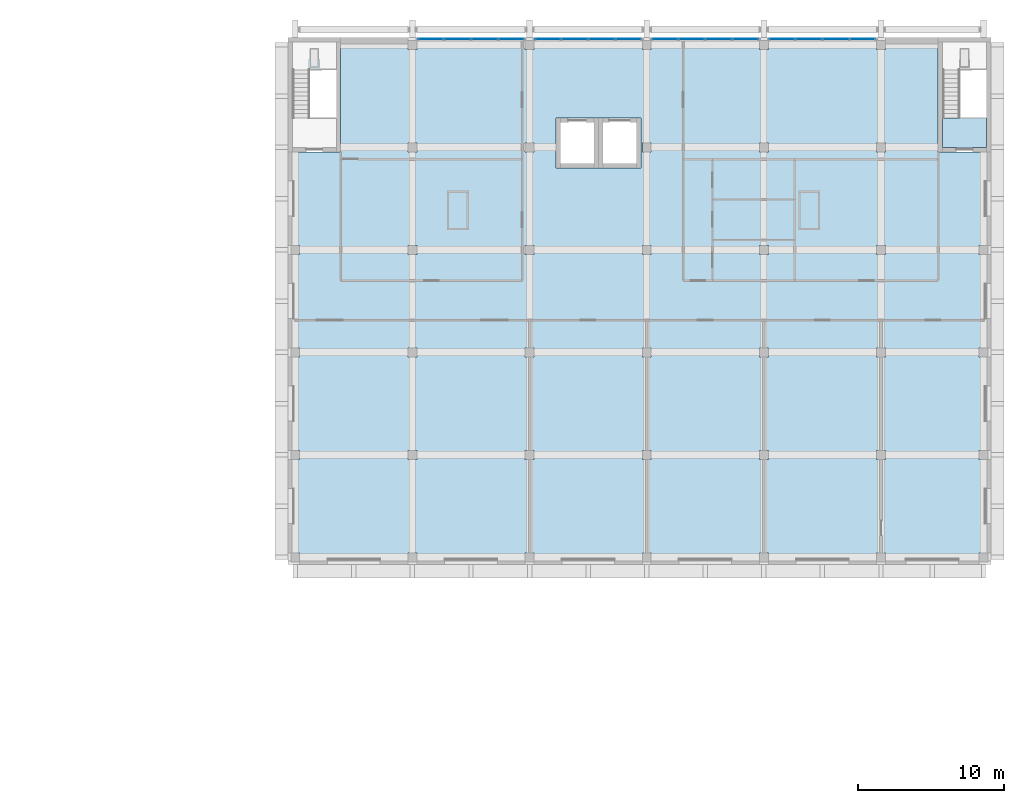
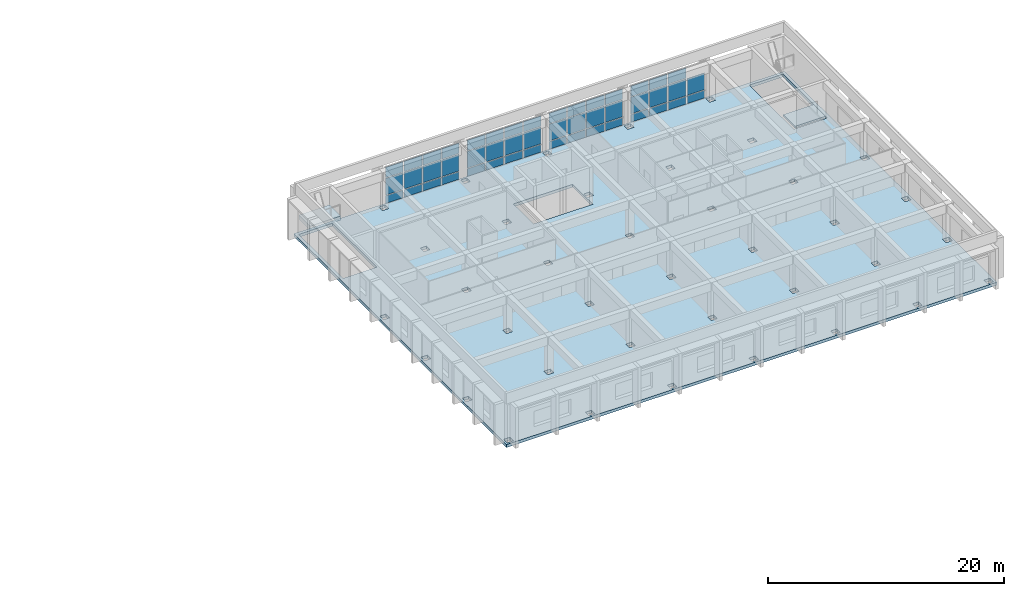
# One storey, part 14 of 21: 47 plates, 3 slabs, 5 elements without a shape of their own.
"""IFC4 building model written with IfcOpenShell, lengths in metres."""

from ifc_helpers import new_model, si_unit, direction, frame, origin, origin_2d, place, context, subcontext, project, spatial, polyline, rectangle, outline, extrude, material, layer, layer_set, type_object, element, aggregate, save


model = new_model("IFC4")

# Units and contexts
model_context = context("Model", 3, precision=1e-05, world=origin(), true_north=direction((0.0, 1.0)))
body_context = subcontext(model_context, "Body", "Model", "MODEL_VIEW")
ifc_project = project(units=[si_unit("LENGTHUNIT", "METRE"), si_unit("AREAUNIT", "SQUARE_METRE"), si_unit("VOLUMEUNIT", "CUBIC_METRE"), si_unit("PLANEANGLEUNIT", "RADIAN"), si_unit("MASSUNIT", "GRAM", prefix="KILO")], contexts=[model_context])

# Site, building, storey
site_placement = place(None, origin())
site = spatial("IfcSite", under=ifc_project, at=site_placement, CompositionType="ELEMENT")
building_placement = place(site_placement, origin())
building = spatial("IfcBuilding", under=site, at=building_placement, Name="Elmora Arch Market Hall", CompositionType="ELEMENT")
storey_placement = place(building_placement, frame((0.0, 0.0, 14.39990234375)))
storey = spatial("IfcBuildingStorey", under=building, at=storey_placement, Name="L03", CompositionType="ELEMENT", Elevation=14.39990234375)

# Slab
ifc_material_1 = material(Name="Concrete C32/40", Category="concrete")
ifc_layer_1 = layer(ifc_material_1, 0.300048828125)
ifc_layer_set_1 = layer_set([ifc_layer_1], Name="Concrete C32/40")
slab_type_1 = type_object("IfcSlabType", Name="Floor slab 300", PredefinedType="FLOOR", material=ifc_layer_set_1)
slab_1_placement = place(storey_placement, frame((0.0, 0.0, -0.2998046875)))
element("IfcSlab", 1, at=slab_1_placement, inside=storey, type_object=slab_type_1, Name="L03 floor slab SCH", PredefinedType="FLOOR", context=body_context, shape_type="SweptSolid", body=[
    extrude(outline(polyline([(86.0, 130.0), (86.0, 166.0), (134.0, 166.0), (134.0, 130.0), (86.0, 130.0)]), holes=[polyline([(133.198974609375, 151.801025390625), (133.198974609375, 151.198974609375), (133.801025390625, 151.198974609375), (133.801025390625, 151.801025390625), (133.198974609375, 151.801025390625)]), polyline([(133.198974609375, 137.801025390625), (133.198974609375, 137.198974609375), (133.801025390625, 137.198974609375), (133.801025390625, 137.801025390625), (133.198974609375, 137.801025390625)]), polyline([(133.198974609375, 144.198974609375), (133.801025390625, 144.198974609375), (133.801025390625, 144.801025390625), (133.198974609375, 144.801025390625), (133.198974609375, 144.198974609375)]), polyline([(133.198974609375, 130.198974609375), (133.801025390625, 130.198974609375), (133.801025390625, 130.801025390625), (133.198974609375, 130.801025390625), (133.198974609375, 130.198974609375)]), polyline([(130.39892578125, 158.198974609375), (133.700927734375, 158.198974609375), (133.700927734375, 165.700927734375), (130.39892578125, 165.700927734375), (130.39892578125, 158.198974609375)]), polyline([(126.198974609375, 165.801025390625), (126.198974609375, 165.198974609375), (126.801025390625, 165.198974609375), (126.801025390625, 165.801025390625), (126.198974609375, 165.801025390625)]), polyline([(126.198974609375, 158.198974609375), (126.801025390625, 158.198974609375), (126.801025390625, 158.801025390625), (126.198974609375, 158.801025390625), (126.198974609375, 158.198974609375)]), polyline([(126.198974609375, 151.198974609375), (126.801025390625, 151.198974609375), (126.801025390625, 151.801025390625), (126.198974609375, 151.801025390625), (126.198974609375, 151.198974609375)]), polyline([(126.198974609375, 144.198974609375), (126.801025390625, 144.198974609375), (126.801025390625, 144.801025390625), (126.198974609375, 144.801025390625), (126.198974609375, 144.198974609375)]), polyline([(126.198974609375, 137.198974609375), (126.801025390625, 137.198974609375), (126.801025390625, 137.801025390625), (126.198974609375, 137.801025390625), (126.198974609375, 137.198974609375)]), polyline([(126.198974609375, 130.198974609375), (126.801025390625, 130.198974609375), (126.801025390625, 130.801025390625), (126.198974609375, 130.801025390625), (126.198974609375, 130.198974609375)]), polyline([(118.198974609375, 151.198974609375), (118.801025390625, 151.198974609375), (118.801025390625, 151.801025390625), (118.198974609375, 151.801025390625), (118.198974609375, 151.198974609375)]), polyline([(118.198974609375, 130.198974609375), (118.801025390625, 130.198974609375), (118.801025390625, 130.801025390625), (118.198974609375, 130.801025390625), (118.198974609375, 130.198974609375)]), polyline([(118.198974609375, 144.198974609375), (118.801025390625, 144.198974609375), (118.801025390625, 144.801025390625), (118.198974609375, 144.801025390625), (118.198974609375, 144.198974609375)]), polyline([(118.198974609375, 158.198974609375), (118.801025390625, 158.198974609375), (118.801025390625, 158.801025390625), (118.198974609375, 158.801025390625), (118.198974609375, 158.198974609375)]), polyline([(118.198974609375, 165.198974609375), (118.801025390625, 165.198974609375), (118.801025390625, 165.801025390625), (118.198974609375, 165.801025390625), (118.198974609375, 165.198974609375)]), polyline([(118.198974609375, 137.801025390625), (118.198974609375, 137.198974609375), (118.801025390625, 137.198974609375), (118.801025390625, 137.801025390625), (118.198974609375, 137.801025390625)]), polyline([(110.198974609375, 165.801025390625), (110.198974609375, 165.198974609375), (110.801025390625, 165.198974609375), (110.801025390625, 165.801025390625), (110.198974609375, 165.801025390625)]), polyline([(110.198974609375, 151.801025390625), (110.198974609375, 151.198974609375), (110.801025390625, 151.198974609375), (110.801025390625, 151.801025390625), (110.198974609375, 151.801025390625)]), polyline([(110.198974609375, 158.198974609375), (110.801025390625, 158.198974609375), (110.801025390625, 158.801025390625), (110.198974609375, 158.801025390625), (110.198974609375, 158.198974609375)]), polyline([(110.198974609375, 144.198974609375), (110.801025390625, 144.198974609375), (110.801025390625, 144.801025390625), (110.198974609375, 144.801025390625), (110.198974609375, 144.198974609375)]), polyline([(110.198974609375, 137.198974609375), (110.801025390625, 137.198974609375), (110.801025390625, 137.801025390625), (110.198974609375, 137.801025390625), (110.198974609375, 137.198974609375)]), polyline([(110.198974609375, 130.198974609375), (110.801025390625, 130.198974609375), (110.801025390625, 130.801025390625), (110.198974609375, 130.801025390625), (110.198974609375, 130.198974609375)]), polyline([(110.10107421875, 157.09912109375), (110.10107421875, 160.5009765625), (104.299072265625, 160.5009765625), (104.299072265625, 157.09912109375), (110.10107421875, 157.09912109375)]), polyline([(102.198974609375, 137.198974609375), (102.801025390625, 137.198974609375), (102.801025390625, 137.801025390625), (102.198974609375, 137.801025390625), (102.198974609375, 137.198974609375)]), polyline([(102.198974609375, 158.801025390625), (102.198974609375, 158.198974609375), (102.801025390625, 158.198974609375), (102.801025390625, 158.801025390625), (102.198974609375, 158.801025390625)]), polyline([(102.198974609375, 130.801025390625), (102.198974609375, 130.198974609375), (102.801025390625, 130.198974609375), (102.801025390625, 130.801025390625), (102.198974609375, 130.801025390625)]), polyline([(102.198974609375, 165.198974609375), (102.801025390625, 165.198974609375), (102.801025390625, 165.801025390625), (102.198974609375, 165.801025390625), (102.198974609375, 165.198974609375)]), polyline([(102.198974609375, 151.198974609375), (102.801025390625, 151.198974609375), (102.801025390625, 151.801025390625), (102.198974609375, 151.801025390625), (102.198974609375, 151.198974609375)]), polyline([(102.198974609375, 144.198974609375), (102.801025390625, 144.198974609375), (102.801025390625, 144.801025390625), (102.198974609375, 144.801025390625), (102.198974609375, 144.198974609375)]), polyline([(94.198974609375, 130.801025390625), (94.198974609375, 130.198974609375), (94.801025390625, 130.198974609375), (94.801025390625, 130.801025390625), (94.198974609375, 130.801025390625)]), polyline([(94.198974609375, 165.198974609375), (94.801025390625, 165.198974609375), (94.801025390625, 165.801025390625), (94.198974609375, 165.801025390625), (94.198974609375, 165.198974609375)]), polyline([(94.198974609375, 158.198974609375), (94.801025390625, 158.198974609375), (94.801025390625, 158.801025390625), (94.198974609375, 158.801025390625), (94.198974609375, 158.198974609375)]), polyline([(94.198974609375, 151.198974609375), (94.801025390625, 151.198974609375), (94.801025390625, 151.801025390625), (94.198974609375, 151.801025390625), (94.198974609375, 151.198974609375)]), polyline([(94.198974609375, 144.198974609375), (94.801025390625, 144.198974609375), (94.801025390625, 144.801025390625), (94.198974609375, 144.801025390625), (94.198974609375, 144.198974609375)]), polyline([(94.198974609375, 137.198974609375), (94.801025390625, 137.198974609375), (94.801025390625, 137.801025390625), (94.198974609375, 137.801025390625), (94.198974609375, 137.198974609375)]), polyline([(89.60107421875, 158.198974609375), (89.60107421875, 165.700927734375), (86.299072265625, 165.700927734375), (86.299072265625, 158.198974609375), (89.60107421875, 158.198974609375)]), polyline([(86.198974609375, 151.198974609375), (86.801025390625, 151.198974609375), (86.801025390625, 151.801025390625), (86.198974609375, 151.801025390625), (86.198974609375, 151.198974609375)]), polyline([(86.198974609375, 144.198974609375), (86.801025390625, 144.198974609375), (86.801025390625, 144.801025390625), (86.198974609375, 144.801025390625), (86.198974609375, 144.198974609375)]), polyline([(86.198974609375, 137.198974609375), (86.801025390625, 137.198974609375), (86.801025390625, 137.801025390625), (86.198974609375, 137.801025390625), (86.198974609375, 137.198974609375)]), polyline([(86.198974609375, 130.198974609375), (86.801025390625, 130.198974609375), (86.801025390625, 130.801025390625), (86.198974609375, 130.801025390625), (86.198974609375, 130.198974609375)])]), origin(), (0.0, 0.0, 1.0), 0.2998046875),
])

# Curtain wall, plates
ifc_material_2 = material(Name="Aluminium", Category="aluminium")
curtain_wall_type = type_object("IfcCurtainWallType", Name="School front curtain wall", PredefinedType="NOTDEFINED", material=ifc_material_2)
curtain_wall_1_placement = place(storey_placement, origin())
curtain_wall_1 = element("IfcCurtainWall", 2, at=curtain_wall_1_placement, inside=storey, type_object=curtain_wall_type, Name="School street front L03 1", PredefinedType="NOTDEFINED")
ifc_material_3 = material(Name="Glass", Category="glass")
ifc_layer_2 = layer(ifc_material_3, 0.035888671875)
ifc_layer_set_2 = layer_set([ifc_layer_2], Name="Glass")
plate_type = type_object("IfcPlateType", Name="Laminated glass panel 36", PredefinedType="CURTAIN_PANEL", material=ifc_layer_set_2)
plate_1_placement = place(storey_placement, frame((95.75, 165.89990234375, 0.074951171875), z_axis=(0.0, 0.0, 1.0), x_axis=(1.0, 0.0, 0.0)))
plate_1 = element("IfcPlate", 3, at=plate_1_placement, type_object=plate_type, Name="CW5 panel 1.1", PredefinedType="CURTAIN_PANEL", context=body_context, shape_type="SweptSolid", body=[
    extrude(rectangle(XDim=1.699951171875, YDim=0.035888671875, at=origin_2d()), origin(), (0.0, 0.0, 1.0), 0.78759765625),
])
plate_2_placement = place(storey_placement, frame((95.75, 165.89990234375, 0.9375), z_axis=(0.0, 0.0, 1.0), x_axis=(1.0, 0.0, 0.0)))
plate_2 = element("IfcPlate", 4, at=plate_2_placement, type_object=plate_type, Name="CW5 panel 1.2", PredefinedType="CURTAIN_PANEL", context=body_context, shape_type="SweptSolid", body=[
    extrude(rectangle(XDim=1.699951171875, YDim=0.035888671875, at=origin_2d()), origin(), (0.0, 0.0, 1.0), 1.72509765625),
])
plate_3_placement = place(storey_placement, frame((95.75, 165.89990234375, 2.737548828125), z_axis=(0.0, 0.0, 1.0), x_axis=(1.0, 0.0, 0.0)))
plate_3 = element("IfcPlate", 5, at=plate_3_placement, type_object=plate_type, Name="CW5 panel 1.3", PredefinedType="CURTAIN_PANEL", context=body_context, shape_type="SweptSolid", body=[
    extrude(rectangle(XDim=1.699951171875, YDim=0.035888671875, at=origin_2d()), origin(), (0.0, 0.0, 1.0), 1.08740234375),
])
plate_4_placement = place(storey_placement, frame((97.574951171875, 165.89990234375, 0.074951171875), z_axis=(0.0, 0.0, 1.0), x_axis=(1.0, 0.0, 0.0)))
plate_4 = element("IfcPlate", 6, at=plate_4_placement, type_object=plate_type, Name="CW5 panel 2.1", PredefinedType="CURTAIN_PANEL", context=body_context, shape_type="SweptSolid", body=[
    extrude(rectangle(XDim=1.75, YDim=0.035888671875, at=origin_2d()), origin(), (0.0, 0.0, 1.0), 0.78759765625),
])
plate_5_placement = place(storey_placement, frame((97.574951171875, 165.89990234375, 0.9375), z_axis=(0.0, 0.0, 1.0), x_axis=(1.0, 0.0, 0.0)))
plate_5 = element("IfcPlate", 7, at=plate_5_placement, type_object=plate_type, Name="CW5 panel 2.2", PredefinedType="CURTAIN_PANEL", context=body_context, shape_type="SweptSolid", body=[
    extrude(rectangle(XDim=1.75, YDim=0.035888671875, at=origin_2d()), origin(), (0.0, 0.0, 1.0), 1.72509765625),
])
plate_6_placement = place(storey_placement, frame((97.574951171875, 165.89990234375, 2.737548828125), z_axis=(0.0, 0.0, 1.0), x_axis=(1.0, 0.0, 0.0)))
plate_6 = element("IfcPlate", 8, at=plate_6_placement, type_object=plate_type, Name="CW5 panel 2.3", PredefinedType="CURTAIN_PANEL", context=body_context, shape_type="SweptSolid", body=[
    extrude(rectangle(XDim=1.75, YDim=0.035888671875, at=origin_2d()), origin(), (0.0, 0.0, 1.0), 1.08740234375),
])
plate_7_placement = place(storey_placement, frame((99.425048828125, 165.89990234375, 0.074951171875), z_axis=(0.0, 0.0, 1.0), x_axis=(1.0, 0.0, 0.0)))
plate_7 = element("IfcPlate", 9, at=plate_7_placement, type_object=plate_type, Name="CW5 panel 3.1", PredefinedType="CURTAIN_PANEL", context=body_context, shape_type="SweptSolid", body=[
    extrude(rectangle(XDim=1.75, YDim=0.035888671875, at=origin_2d()), origin(), (0.0, 0.0, 1.0), 0.78759765625),
])
plate_8_placement = place(storey_placement, frame((99.425048828125, 165.89990234375, 0.9375), z_axis=(0.0, 0.0, 1.0), x_axis=(1.0, 0.0, 0.0)))
plate_8 = element("IfcPlate", 10, at=plate_8_placement, type_object=plate_type, Name="CW5 panel 3.2", PredefinedType="CURTAIN_PANEL", context=body_context, shape_type="SweptSolid", body=[
    extrude(rectangle(XDim=1.75, YDim=0.035888671875, at=origin_2d()), origin(), (0.0, 0.0, 1.0), 1.72509765625),
])
plate_9_placement = place(storey_placement, frame((99.425048828125, 165.89990234375, 2.737548828125), z_axis=(0.0, 0.0, 1.0), x_axis=(1.0, 0.0, 0.0)))
plate_9 = element("IfcPlate", 11, at=plate_9_placement, type_object=plate_type, Name="CW5 panel 3.3", PredefinedType="CURTAIN_PANEL", context=body_context, shape_type="SweptSolid", body=[
    extrude(rectangle(XDim=1.75, YDim=0.035888671875, at=origin_2d()), origin(), (0.0, 0.0, 1.0), 1.08740234375),
])
plate_10_placement = place(storey_placement, frame((101.25, 165.89990234375, 0.074951171875), z_axis=(0.0, 0.0, 1.0), x_axis=(1.0, 0.0, 0.0)))
plate_10 = element("IfcPlate", 12, at=plate_10_placement, type_object=plate_type, Name="CW5 panel 4.1", PredefinedType="CURTAIN_PANEL", context=body_context, shape_type="SweptSolid", body=[
    extrude(rectangle(XDim=1.699951171875, YDim=0.035888671875, at=origin_2d()), origin(), (0.0, 0.0, 1.0), 0.78759765625),
])
plate_11_placement = place(storey_placement, frame((101.25, 165.89990234375, 0.9375), z_axis=(0.0, 0.0, 1.0), x_axis=(1.0, 0.0, 0.0)))
plate_11 = element("IfcPlate", 13, at=plate_11_placement, type_object=plate_type, Name="CW5 panel 4.2", PredefinedType="CURTAIN_PANEL", context=body_context, shape_type="SweptSolid", body=[
    extrude(rectangle(XDim=1.699951171875, YDim=0.035888671875, at=origin_2d()), origin(), (0.0, 0.0, 1.0), 1.72509765625),
])
plate_12_placement = place(storey_placement, frame((101.25, 165.89990234375, 2.737548828125), z_axis=(0.0, 0.0, 1.0), x_axis=(1.0, 0.0, 0.0)))
plate_12 = element("IfcPlate", 14, at=plate_12_placement, type_object=plate_type, Name="CW5 panel 4.3", PredefinedType="CURTAIN_PANEL", context=body_context, shape_type="SweptSolid", body=[
    extrude(rectangle(XDim=1.699951171875, YDim=0.035888671875, at=origin_2d()), origin(), (0.0, 0.0, 1.0), 1.08740234375),
])
aggregate(curtain_wall_1, [plate_1, plate_2, plate_3, plate_4, plate_5, plate_6, plate_7, plate_8, plate_9, plate_10, plate_11, plate_12])

curtain_wall_2_placement = place(storey_placement, origin())
curtain_wall_2 = element("IfcCurtainWall", 15, at=curtain_wall_2_placement, inside=storey, type_object=curtain_wall_type, Name="School street front L03 2", PredefinedType="NOTDEFINED")
plate_13_placement = place(storey_placement, frame((103.75, 165.89990234375, 0.074951171875), z_axis=(0.0, 0.0, 1.0), x_axis=(1.0, 0.0, 0.0)))
plate_13 = element("IfcPlate", 16, at=plate_13_placement, type_object=plate_type, Name="CW5 panel 1.1", PredefinedType="CURTAIN_PANEL", context=body_context, shape_type="SweptSolid", body=[
    extrude(rectangle(XDim=1.699951171875, YDim=0.035888671875, at=origin_2d()), origin(), (0.0, 0.0, 1.0), 0.78759765625),
])
plate_14_placement = place(storey_placement, frame((103.75, 165.89990234375, 0.9375), z_axis=(0.0, 0.0, 1.0), x_axis=(1.0, 0.0, 0.0)))
plate_14 = element("IfcPlate", 17, at=plate_14_placement, type_object=plate_type, Name="CW5 panel 1.2", PredefinedType="CURTAIN_PANEL", context=body_context, shape_type="SweptSolid", body=[
    extrude(rectangle(XDim=1.699951171875, YDim=0.035888671875, at=origin_2d()), origin(), (0.0, 0.0, 1.0), 1.72509765625),
])
plate_15_placement = place(storey_placement, frame((103.75, 165.89990234375, 2.737548828125), z_axis=(0.0, 0.0, 1.0), x_axis=(1.0, 0.0, 0.0)))
plate_15 = element("IfcPlate", 18, at=plate_15_placement, type_object=plate_type, Name="CW5 panel 1.3", PredefinedType="CURTAIN_PANEL", context=body_context, shape_type="SweptSolid", body=[
    extrude(rectangle(XDim=1.699951171875, YDim=0.035888671875, at=origin_2d()), origin(), (0.0, 0.0, 1.0), 1.08740234375),
])
plate_16_placement = place(storey_placement, frame((105.574951171875, 165.89990234375, 0.074951171875), z_axis=(0.0, 0.0, 1.0), x_axis=(1.0, 0.0, 0.0)))
plate_16 = element("IfcPlate", 19, at=plate_16_placement, type_object=plate_type, Name="CW5 panel 2.1", PredefinedType="CURTAIN_PANEL", context=body_context, shape_type="SweptSolid", body=[
    extrude(rectangle(XDim=1.75, YDim=0.035888671875, at=origin_2d()), origin(), (0.0, 0.0, 1.0), 0.78759765625),
])
plate_17_placement = place(storey_placement, frame((105.574951171875, 165.89990234375, 0.9375), z_axis=(0.0, 0.0, 1.0), x_axis=(1.0, 0.0, 0.0)))
plate_17 = element("IfcPlate", 20, at=plate_17_placement, type_object=plate_type, Name="CW5 panel 2.2", PredefinedType="CURTAIN_PANEL", context=body_context, shape_type="SweptSolid", body=[
    extrude(rectangle(XDim=1.75, YDim=0.035888671875, at=origin_2d()), origin(), (0.0, 0.0, 1.0), 1.72509765625),
])
plate_18_placement = place(storey_placement, frame((105.574951171875, 165.89990234375, 2.737548828125), z_axis=(0.0, 0.0, 1.0), x_axis=(1.0, 0.0, 0.0)))
plate_18 = element("IfcPlate", 21, at=plate_18_placement, type_object=plate_type, Name="CW5 panel 2.3", PredefinedType="CURTAIN_PANEL", context=body_context, shape_type="SweptSolid", body=[
    extrude(rectangle(XDim=1.75, YDim=0.035888671875, at=origin_2d()), origin(), (0.0, 0.0, 1.0), 1.08740234375),
])
plate_19_placement = place(storey_placement, frame((107.425048828125, 165.89990234375, 0.074951171875), z_axis=(0.0, 0.0, 1.0), x_axis=(1.0, 0.0, 0.0)))
plate_19 = element("IfcPlate", 22, at=plate_19_placement, type_object=plate_type, Name="CW5 panel 3.1", PredefinedType="CURTAIN_PANEL", context=body_context, shape_type="SweptSolid", body=[
    extrude(rectangle(XDim=1.75, YDim=0.035888671875, at=origin_2d()), origin(), (0.0, 0.0, 1.0), 0.78759765625),
])
plate_20_placement = place(storey_placement, frame((107.425048828125, 165.89990234375, 0.9375), z_axis=(0.0, 0.0, 1.0), x_axis=(1.0, 0.0, 0.0)))
plate_20 = element("IfcPlate", 23, at=plate_20_placement, type_object=plate_type, Name="CW5 panel 3.2", PredefinedType="CURTAIN_PANEL", context=body_context, shape_type="SweptSolid", body=[
    extrude(rectangle(XDim=1.75, YDim=0.035888671875, at=origin_2d()), origin(), (0.0, 0.0, 1.0), 1.72509765625),
])
plate_21_placement = place(storey_placement, frame((107.425048828125, 165.89990234375, 2.737548828125), z_axis=(0.0, 0.0, 1.0), x_axis=(1.0, 0.0, 0.0)))
plate_21 = element("IfcPlate", 24, at=plate_21_placement, type_object=plate_type, Name="CW5 panel 3.3", PredefinedType="CURTAIN_PANEL", context=body_context, shape_type="SweptSolid", body=[
    extrude(rectangle(XDim=1.75, YDim=0.035888671875, at=origin_2d()), origin(), (0.0, 0.0, 1.0), 1.08740234375),
])
plate_22_placement = place(storey_placement, frame((109.25, 165.89990234375, 0.074951171875), z_axis=(0.0, 0.0, 1.0), x_axis=(1.0, 0.0, 0.0)))
plate_22 = element("IfcPlate", 25, at=plate_22_placement, type_object=plate_type, Name="CW5 panel 4.1", PredefinedType="CURTAIN_PANEL", context=body_context, shape_type="SweptSolid", body=[
    extrude(rectangle(XDim=1.699951171875, YDim=0.035888671875, at=origin_2d()), origin(), (0.0, 0.0, 1.0), 0.78759765625),
])
plate_23_placement = place(storey_placement, frame((109.25, 165.89990234375, 0.9375), z_axis=(0.0, 0.0, 1.0), x_axis=(1.0, 0.0, 0.0)))
plate_23 = element("IfcPlate", 26, at=plate_23_placement, type_object=plate_type, Name="CW5 panel 4.2", PredefinedType="CURTAIN_PANEL", context=body_context, shape_type="SweptSolid", body=[
    extrude(rectangle(XDim=1.699951171875, YDim=0.035888671875, at=origin_2d()), origin(), (0.0, 0.0, 1.0), 1.72509765625),
])
plate_24_placement = place(storey_placement, frame((109.25, 165.89990234375, 2.737548828125), z_axis=(0.0, 0.0, 1.0), x_axis=(1.0, 0.0, 0.0)))
plate_24 = element("IfcPlate", 27, at=plate_24_placement, type_object=plate_type, Name="CW5 panel 4.3", PredefinedType="CURTAIN_PANEL", context=body_context, shape_type="SweptSolid", body=[
    extrude(rectangle(XDim=1.699951171875, YDim=0.035888671875, at=origin_2d()), origin(), (0.0, 0.0, 1.0), 1.08740234375),
])
aggregate(curtain_wall_2, [plate_13, plate_14, plate_15, plate_16, plate_17, plate_18, plate_19, plate_20, plate_21, plate_22, plate_23, plate_24])

curtain_wall_3_placement = place(storey_placement, origin())
curtain_wall_3 = element("IfcCurtainWall", 28, at=curtain_wall_3_placement, inside=storey, type_object=curtain_wall_type, Name="School street front L03 3", PredefinedType="NOTDEFINED")
plate_25_placement = place(storey_placement, frame((111.75, 165.89990234375, 0.074951171875), z_axis=(0.0, 0.0, 1.0), x_axis=(1.0, 0.0, 0.0)))
plate_25 = element("IfcPlate", 29, at=plate_25_placement, type_object=plate_type, Name="CW5 panel 1.1", PredefinedType="CURTAIN_PANEL", context=body_context, shape_type="SweptSolid", body=[
    extrude(rectangle(XDim=1.699951171875, YDim=0.035888671875, at=origin_2d()), origin(), (0.0, 0.0, 1.0), 0.78759765625),
])
plate_26_placement = place(storey_placement, frame((111.75, 165.89990234375, 0.9375), z_axis=(0.0, 0.0, 1.0), x_axis=(1.0, 0.0, 0.0)))
plate_26 = element("IfcPlate", 30, at=plate_26_placement, type_object=plate_type, Name="CW5 panel 1.2", PredefinedType="CURTAIN_PANEL", context=body_context, shape_type="SweptSolid", body=[
    extrude(rectangle(XDim=1.699951171875, YDim=0.035888671875, at=origin_2d()), origin(), (0.0, 0.0, 1.0), 1.72509765625),
])
plate_27_placement = place(storey_placement, frame((111.75, 165.89990234375, 2.737548828125), z_axis=(0.0, 0.0, 1.0), x_axis=(1.0, 0.0, 0.0)))
plate_27 = element("IfcPlate", 31, at=plate_27_placement, type_object=plate_type, Name="CW5 panel 1.3", PredefinedType="CURTAIN_PANEL", context=body_context, shape_type="SweptSolid", body=[
    extrude(rectangle(XDim=1.699951171875, YDim=0.035888671875, at=origin_2d()), origin(), (0.0, 0.0, 1.0), 1.08740234375),
])
plate_28_placement = place(storey_placement, frame((113.574951171875, 165.89990234375, 0.074951171875), z_axis=(0.0, 0.0, 1.0), x_axis=(1.0, 0.0, 0.0)))
plate_28 = element("IfcPlate", 32, at=plate_28_placement, type_object=plate_type, Name="CW5 panel 2.1", PredefinedType="CURTAIN_PANEL", context=body_context, shape_type="SweptSolid", body=[
    extrude(rectangle(XDim=1.75, YDim=0.035888671875, at=origin_2d()), origin(), (0.0, 0.0, 1.0), 0.78759765625),
])
plate_29_placement = place(storey_placement, frame((113.574951171875, 165.89990234375, 0.9375), z_axis=(0.0, 0.0, 1.0), x_axis=(1.0, 0.0, 0.0)))
plate_29 = element("IfcPlate", 33, at=plate_29_placement, type_object=plate_type, Name="CW5 panel 2.2", PredefinedType="CURTAIN_PANEL", context=body_context, shape_type="SweptSolid", body=[
    extrude(rectangle(XDim=1.75, YDim=0.035888671875, at=origin_2d()), origin(), (0.0, 0.0, 1.0), 1.72509765625),
])
plate_30_placement = place(storey_placement, frame((113.574951171875, 165.89990234375, 2.737548828125), z_axis=(0.0, 0.0, 1.0), x_axis=(1.0, 0.0, 0.0)))
plate_30 = element("IfcPlate", 34, at=plate_30_placement, type_object=plate_type, Name="CW5 panel 2.3", PredefinedType="CURTAIN_PANEL", context=body_context, shape_type="SweptSolid", body=[
    extrude(rectangle(XDim=1.75, YDim=0.035888671875, at=origin_2d()), origin(), (0.0, 0.0, 1.0), 1.08740234375),
])
plate_31_placement = place(storey_placement, frame((115.425048828125, 165.89990234375, 0.074951171875), z_axis=(0.0, 0.0, 1.0), x_axis=(1.0, 0.0, 0.0)))
plate_31 = element("IfcPlate", 35, at=plate_31_placement, type_object=plate_type, Name="CW5 panel 3.1", PredefinedType="CURTAIN_PANEL", context=body_context, shape_type="SweptSolid", body=[
    extrude(rectangle(XDim=1.75, YDim=0.035888671875, at=origin_2d()), origin(), (0.0, 0.0, 1.0), 0.78759765625),
])
plate_32_placement = place(storey_placement, frame((115.425048828125, 165.89990234375, 0.9375), z_axis=(0.0, 0.0, 1.0), x_axis=(1.0, 0.0, 0.0)))
plate_32 = element("IfcPlate", 36, at=plate_32_placement, type_object=plate_type, Name="CW5 panel 3.2", PredefinedType="CURTAIN_PANEL", context=body_context, shape_type="SweptSolid", body=[
    extrude(rectangle(XDim=1.75, YDim=0.035888671875, at=origin_2d()), origin(), (0.0, 0.0, 1.0), 1.72509765625),
])
plate_33_placement = place(storey_placement, frame((115.425048828125, 165.89990234375, 2.737548828125), z_axis=(0.0, 0.0, 1.0), x_axis=(1.0, 0.0, 0.0)))
plate_33 = element("IfcPlate", 37, at=plate_33_placement, type_object=plate_type, Name="CW5 panel 3.3", PredefinedType="CURTAIN_PANEL", context=body_context, shape_type="SweptSolid", body=[
    extrude(rectangle(XDim=1.75, YDim=0.035888671875, at=origin_2d()), origin(), (0.0, 0.0, 1.0), 1.08740234375),
])
plate_34_placement = place(storey_placement, frame((117.25, 165.89990234375, 0.074951171875), z_axis=(0.0, 0.0, 1.0), x_axis=(1.0, 0.0, 0.0)))
plate_34 = element("IfcPlate", 38, at=plate_34_placement, type_object=plate_type, Name="CW5 panel 4.1", PredefinedType="CURTAIN_PANEL", context=body_context, shape_type="SweptSolid", body=[
    extrude(rectangle(XDim=1.699951171875, YDim=0.035888671875, at=origin_2d()), origin(), (0.0, 0.0, 1.0), 0.78759765625),
])
plate_35_placement = place(storey_placement, frame((117.25, 165.89990234375, 0.9375), z_axis=(0.0, 0.0, 1.0), x_axis=(1.0, 0.0, 0.0)))
plate_35 = element("IfcPlate", 39, at=plate_35_placement, type_object=plate_type, Name="CW5 panel 4.2", PredefinedType="CURTAIN_PANEL", context=body_context, shape_type="SweptSolid", body=[
    extrude(rectangle(XDim=1.699951171875, YDim=0.035888671875, at=origin_2d()), origin(), (0.0, 0.0, 1.0), 1.72509765625),
])
plate_36_placement = place(storey_placement, frame((117.25, 165.89990234375, 2.737548828125), z_axis=(0.0, 0.0, 1.0), x_axis=(1.0, 0.0, 0.0)))
plate_36 = element("IfcPlate", 40, at=plate_36_placement, type_object=plate_type, Name="CW5 panel 4.3", PredefinedType="CURTAIN_PANEL", context=body_context, shape_type="SweptSolid", body=[
    extrude(rectangle(XDim=1.699951171875, YDim=0.035888671875, at=origin_2d()), origin(), (0.0, 0.0, 1.0), 1.08740234375),
])
aggregate(curtain_wall_3, [plate_25, plate_26, plate_27, plate_28, plate_29, plate_30, plate_31, plate_32, plate_33, plate_34, plate_35, plate_36])

curtain_wall_4_placement = place(storey_placement, origin())
curtain_wall_4 = element("IfcCurtainWall", 41, at=curtain_wall_4_placement, inside=storey, type_object=curtain_wall_type, Name="School street front L03 4", PredefinedType="NOTDEFINED")
plate_37_placement = place(storey_placement, frame((119.75, 165.89990234375, 0.074951171875), z_axis=(0.0, 0.0, 1.0), x_axis=(1.0, 0.0, 0.0)))
plate_37 = element("IfcPlate", 42, at=plate_37_placement, type_object=plate_type, Name="CW5 panel 1.1", PredefinedType="CURTAIN_PANEL", context=body_context, shape_type="SweptSolid", body=[
    extrude(rectangle(XDim=1.699951171875, YDim=0.035888671875, at=origin_2d()), origin(), (0.0, 0.0, 1.0), 0.78759765625),
])
plate_38_placement = place(storey_placement, frame((119.75, 165.89990234375, 0.9375), z_axis=(0.0, 0.0, 1.0), x_axis=(1.0, 0.0, 0.0)))
plate_38 = element("IfcPlate", 43, at=plate_38_placement, type_object=plate_type, Name="CW5 panel 1.2", PredefinedType="CURTAIN_PANEL", context=body_context, shape_type="SweptSolid", body=[
    extrude(rectangle(XDim=1.699951171875, YDim=0.035888671875, at=origin_2d()), origin(), (0.0, 0.0, 1.0), 1.72509765625),
])
plate_39_placement = place(storey_placement, frame((119.75, 165.89990234375, 2.737548828125), z_axis=(0.0, 0.0, 1.0), x_axis=(1.0, 0.0, 0.0)))
plate_39 = element("IfcPlate", 44, at=plate_39_placement, type_object=plate_type, Name="CW5 panel 1.3", PredefinedType="CURTAIN_PANEL", context=body_context, shape_type="SweptSolid", body=[
    extrude(rectangle(XDim=1.699951171875, YDim=0.035888671875, at=origin_2d()), origin(), (0.0, 0.0, 1.0), 1.08740234375),
])
plate_40_placement = place(storey_placement, frame((121.574951171875, 165.89990234375, 0.074951171875), z_axis=(0.0, 0.0, 1.0), x_axis=(1.0, 0.0, 0.0)))
plate_40 = element("IfcPlate", 45, at=plate_40_placement, type_object=plate_type, Name="CW5 panel 2.1", PredefinedType="CURTAIN_PANEL", context=body_context, shape_type="SweptSolid", body=[
    extrude(rectangle(XDim=1.75, YDim=0.035888671875, at=origin_2d()), origin(), (0.0, 0.0, 1.0), 0.78759765625),
])
plate_41_placement = place(storey_placement, frame((121.574951171875, 165.89990234375, 0.9375), z_axis=(0.0, 0.0, 1.0), x_axis=(1.0, 0.0, 0.0)))
plate_41 = element("IfcPlate", 46, at=plate_41_placement, type_object=plate_type, Name="CW5 panel 2.2", PredefinedType="CURTAIN_PANEL", context=body_context, shape_type="SweptSolid", body=[
    extrude(rectangle(XDim=1.75, YDim=0.035888671875, at=origin_2d()), origin(), (0.0, 0.0, 1.0), 1.72509765625),
])
plate_42_placement = place(storey_placement, frame((121.574951171875, 165.89990234375, 2.737548828125), z_axis=(0.0, 0.0, 1.0), x_axis=(1.0, 0.0, 0.0)))
plate_42 = element("IfcPlate", 47, at=plate_42_placement, type_object=plate_type, Name="CW5 panel 2.3", PredefinedType="CURTAIN_PANEL", context=body_context, shape_type="SweptSolid", body=[
    extrude(rectangle(XDim=1.75, YDim=0.035888671875, at=origin_2d()), origin(), (0.0, 0.0, 1.0), 1.08740234375),
])
plate_43_placement = place(storey_placement, frame((123.425048828125, 165.89990234375, 0.074951171875), z_axis=(0.0, 0.0, 1.0), x_axis=(1.0, 0.0, 0.0)))
plate_43 = element("IfcPlate", 48, at=plate_43_placement, type_object=plate_type, Name="CW5 panel 3.1", PredefinedType="CURTAIN_PANEL", context=body_context, shape_type="SweptSolid", body=[
    extrude(rectangle(XDim=1.75, YDim=0.035888671875, at=origin_2d()), origin(), (0.0, 0.0, 1.0), 0.78759765625),
])
plate_44_placement = place(storey_placement, frame((123.425048828125, 165.89990234375, 0.9375), z_axis=(0.0, 0.0, 1.0), x_axis=(1.0, 0.0, 0.0)))
plate_44 = element("IfcPlate", 49, at=plate_44_placement, type_object=plate_type, Name="CW5 panel 3.2", PredefinedType="CURTAIN_PANEL", context=body_context, shape_type="SweptSolid", body=[
    extrude(rectangle(XDim=1.75, YDim=0.035888671875, at=origin_2d()), origin(), (0.0, 0.0, 1.0), 1.72509765625),
])
plate_45_placement = place(storey_placement, frame((123.425048828125, 165.89990234375, 2.737548828125), z_axis=(0.0, 0.0, 1.0), x_axis=(1.0, 0.0, 0.0)))
plate_45 = element("IfcPlate", 50, at=plate_45_placement, type_object=plate_type, Name="CW5 panel 3.3", PredefinedType="CURTAIN_PANEL", context=body_context, shape_type="SweptSolid", body=[
    extrude(rectangle(XDim=1.75, YDim=0.035888671875, at=origin_2d()), origin(), (0.0, 0.0, 1.0), 1.08740234375),
])
plate_46_placement = place(storey_placement, frame((125.25, 165.89990234375, 0.074951171875), z_axis=(0.0, 0.0, 1.0), x_axis=(1.0, 0.0, 0.0)))
plate_46 = element("IfcPlate", 51, at=plate_46_placement, type_object=plate_type, Name="CW5 panel 4.1", PredefinedType="CURTAIN_PANEL", context=body_context, shape_type="SweptSolid", body=[
    extrude(rectangle(XDim=1.699951171875, YDim=0.035888671875, at=origin_2d()), origin(), (0.0, 0.0, 1.0), 0.78759765625),
])
plate_47_placement = place(storey_placement, frame((125.25, 165.89990234375, 0.9375), z_axis=(0.0, 0.0, 1.0), x_axis=(1.0, 0.0, 0.0)))
plate_47 = element("IfcPlate", 52, at=plate_47_placement, type_object=plate_type, Name="CW5 panel 4.2", PredefinedType="CURTAIN_PANEL", context=body_context, shape_type="SweptSolid", body=[
    extrude(rectangle(XDim=1.699951171875, YDim=0.035888671875, at=origin_2d()), origin(), (0.0, 0.0, 1.0), 1.72509765625),
])
aggregate(curtain_wall_4, [plate_37, plate_38, plate_39, plate_40, plate_41, plate_42, plate_43, plate_44, plate_45, plate_46, plate_47])

# Slab
ifc_material_4 = material(Name="Concrete C32/40", Category="concrete")
ifc_layer_3 = layer(ifc_material_4, 0.419921875)
ifc_layer_set_3 = layer_set([ifc_layer_3], Name="Concrete C32/40")
slab_type_2 = type_object("IfcSlabType", Name="Roof access platform 420", PredefinedType="FLOOR", material=ifc_layer_set_3)
slab_2_placement = place(storey_placement, frame((0.0, 0.0, 1.580078125)))
element("IfcSlab", 53, at=slab_2_placement, inside=storey, type_object=slab_type_2, Name="Roof access platform ST-SCW", PredefinedType="FLOOR", context=body_context, shape_type="SweptSolid", body=[
    extrude(outline(polyline([(86.300048828125, 163.800048828125), (89.300048828125, 163.800048828125), (89.300048828125, 165.699951171875), (86.300048828125, 165.699951171875), (86.300048828125, 163.800048828125)])), origin(), (0.0, 0.0, 1.0), 0.419921875),
])

# Stair, slab
ifc_material_5 = material(Name="Concrete C40/50", Category="concrete")
stair_type = type_object("IfcStairType", Name="Exit stair 1200", PredefinedType="TWO_STRAIGHT_RUN_STAIR", material=ifc_material_5)
stair_placement = place(storey_placement, origin())
stair = element("IfcStair", 54, at=stair_placement, inside=storey, type_object=stair_type, Name="Stair ST-SCE L03", PredefinedType="TWO_STRAIGHT_RUN_STAIR")
ifc_material_6 = material(Name="Concrete C32/40", Category="concrete")
ifc_layer_4 = layer(ifc_material_6, 0.199951171875)
ifc_layer_set_4 = layer_set([ifc_layer_4], Name="Concrete C32/40")
slab_type_3 = type_object("IfcSlabType", Name="Stair landing 200", PredefinedType="LANDING", material=ifc_layer_set_4)
slab_3_placement = place(storey_placement, frame((0.0, 0.0, -0.199951171875)))
slab_3 = element("IfcSlab", 55, at=slab_3_placement, type_object=slab_type_3, Name="Stair ST-SCE L03 landing 1", PredefinedType="LANDING", context=body_context, shape_type="SweptSolid", body=[
    extrude(outline(polyline([(130.699951171875, 158.5), (133.699951171875, 158.5), (133.699951171875, 160.5), (130.699951171875, 160.5), (130.699951171875, 158.5)])), origin(), (0.0, 0.0, 1.0), 0.199951171875),
])
aggregate(stair, [slab_3])

save(model, "model.ifc")
